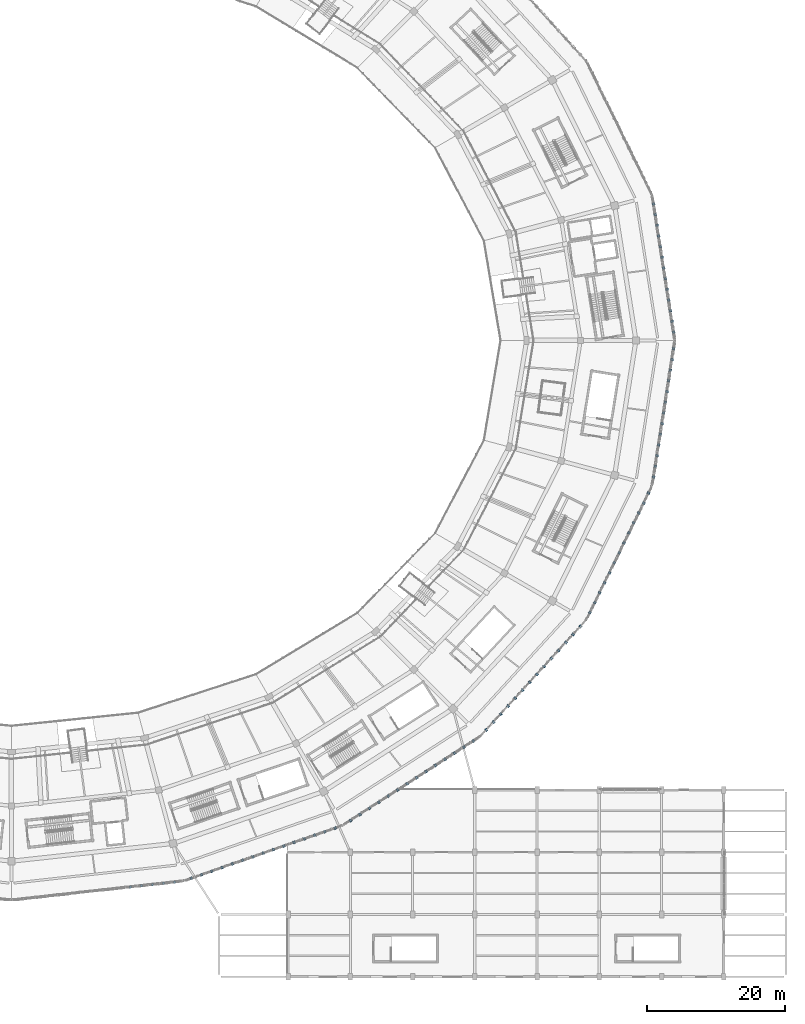
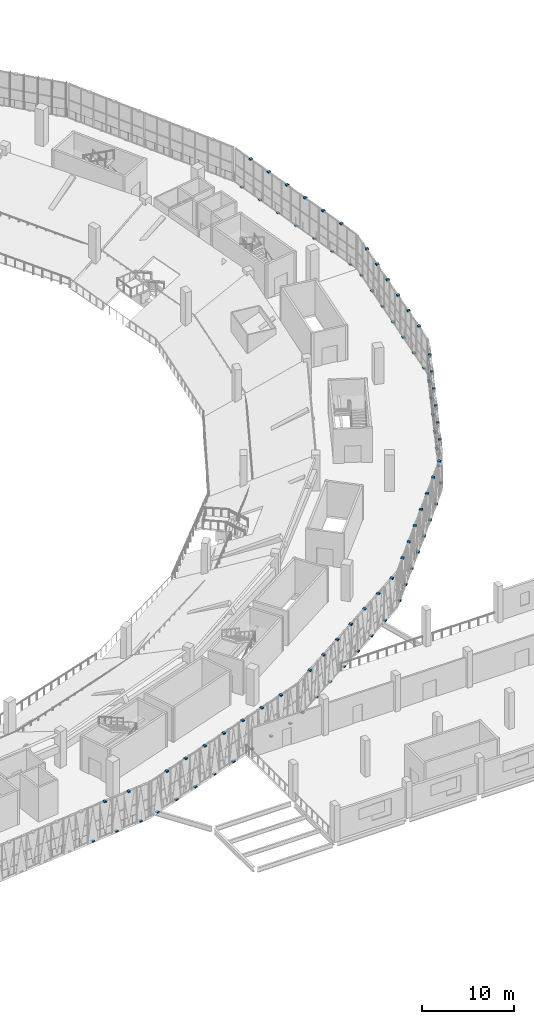
# One storey, part 107 of 152: 87 discrete accessories.
"""IFC4 building model written with IfcOpenShell, lengths in metres."""

from ifc_helpers import new_model, si_unit, direction, frame, origin, origin_2d, place, context, subcontext, project, spatial, rectangle, extrude, material, layer, layer_set, type_object, element, save


model = new_model("IFC4")

# Units and contexts
model_context = context("Model", 3, precision=1e-05, world=origin(), true_north=direction((0.0, 1.0)))
body_context = subcontext(model_context, "Body", "Model", "MODEL_VIEW")
ifc_project = project(units=[si_unit("LENGTHUNIT", "METRE"), si_unit("AREAUNIT", "SQUARE_METRE"), si_unit("VOLUMEUNIT", "CUBIC_METRE"), si_unit("PLANEANGLEUNIT", "RADIAN"), si_unit("MASSUNIT", "GRAM", prefix="KILO")], contexts=[model_context])

# Site, building, storey
site_placement = place(None, origin())
site = spatial("IfcSite", under=ifc_project, at=site_placement, CompositionType="ELEMENT")
building_placement = place(site_placement, origin())
building = spatial("IfcBuilding", under=site, at=building_placement, Name="Zevraka Park Crest Stadium", CompositionType="ELEMENT")
storey_placement = place(building_placement, frame((0.0, 0.0, 15.0)))
storey = spatial("IfcBuildingStorey", under=building, at=storey_placement, Name="L03", CompositionType="ELEMENT", Elevation=15.0)

# Discrete accessories
ifc_material = material(Name="Galvanised steel bracketry", Category="steel")
ifc_layer = layer(ifc_material, 0.1201171875)
ifc_layer_set = layer_set([ifc_layer], Name="Galvanised steel bracketry")
discrete_accessory_type = type_object("IfcDiscreteAccessoryType", Name="BRK01", PredefinedType="BRACKET", material=ifc_layer_set)
for number, where, z_axis, x_axis, name in (
    (1, (207.7509765625, 93.2080078125, -0.16015625), (0.0, 0.0, 1.0), (-0.15419307054, 0.988040736507, 0.0), "Bronze Screen Carrier Bracket BRK01 L03-00-1"),
    (2, (207.510009765625, 94.751953125, 4.39990234375), (0.0, 0.0, 1.0), (-0.15419307054, 0.988040736507, 0.0), "Bronze Screen Carrier Bracket BRK01 L03-00-2"),
    (3, (207.26904296875, 96.2958984375, -0.16015625), (0.0, 0.0, 1.0), (-0.15419307054, 0.988040736507, 0.0), "Bronze Screen Carrier Bracket BRK01 L03-00-3"),
    (4, (207.028076171875, 97.840087890625, 4.39990234375), (0.0, 0.0, 1.0), (-0.15419307054, 0.988040736507, 0.0), "Bronze Screen Carrier Bracket BRK01 L03-00-4"),
    (5, (206.787109375, 99.385009765625, -0.16015625), (0.0, 0.0, 1.0), (-0.15419307054, 0.988040736507, 0.0), "Bronze Screen Carrier Bracket BRK01 L03-00-5"),
    (6, (206.5458984375, 100.928955078125, 4.39990234375), (0.0, 0.0, 1.0), (-0.15419307054, 0.988040736507, 0.0), "Bronze Screen Carrier Bracket BRK01 L03-00-6"),
    (7, (206.304931640625, 102.472900390625, -0.16015625), (0.0, 0.0, 1.0), (-0.15419307054, 0.988040736507, 0.0), "Bronze Screen Carrier Bracket BRK01 L03-00-7"),
    (8, (206.06494140625, 104.01708984375, 4.39990234375), (0.0, 0.0, 1.0), (-0.15419307054, 0.988040736507, 0.0), "Bronze Screen Carrier Bracket BRK01 L03-00-8"),
    (9, (205.823974609375, 105.56103515625, -0.16015625), (0.0, 0.0, 1.0), (-0.15419307054, 0.988040736507, 0.0), "Bronze Screen Carrier Bracket BRK01 L03-00-9"),
    (10, (205.5830078125, 107.10595703125, 4.39990234375), (0.0, 0.0, 1.0), (-0.15419307054, 0.988040736507, 0.0), "Bronze Screen Carrier Bracket BRK01 L03-00-10"),
    (11, (205.342041015625, 108.64990234375, -0.16015625), (0.0, 0.0, 1.0), (-0.15419307054, 0.988040736507, 0.0), "Bronze Screen Carrier Bracket BRK01 L03-00-11"),
    (12, (205.10107421875, 110.194091796875, 4.39990234375), (0.0, 0.0, 1.0), (-0.15419307054, 0.988040736507, 0.0), "Bronze Screen Carrier Bracket BRK01 L03-00-12"),
    (13, (204.860107421875, 111.738037109375, -0.16015625), (0.0, 0.0, 1.0), (-0.15419307054, 0.988040736507, 0.0), "Bronze Screen Carrier Bracket BRK01 L03-00-13"),
    (14, (129.20703125, 12.971923828125, -0.16015625), (0.0, 0.0, 1.0), (0.993884104238, 0.110428199945, 0.0), "Bronze Screen Carrier Bracket BRK01 L03-18-11"),
    (15, (130.803955078125, 13.14990234375, 4.39990234375), (0.0, 0.0, 1.0), (0.993884104238, 0.110428199945, 0.0), "Bronze Screen Carrier Bracket BRK01 L03-18-12"),
    (16, (132.40087890625, 13.326904296875, -0.16015625), (0.0, 0.0, 1.0), (0.993884104238, 0.110428199945, 0.0), "Bronze Screen Carrier Bracket BRK01 L03-18-13"),
    (17, (133.998046875, 13.50390625, 4.39990234375), (0.0, 0.0, 1.0), (0.993884104238, 0.110428199945, 0.0), "Bronze Screen Carrier Bracket BRK01 L03-18-14"),
    (18, (135.593994140625, 13.681884765625, -0.16015625), (0.0, 0.0, 1.0), (0.993884104238, 0.110428199945, 0.0), "Bronze Screen Carrier Bracket BRK01 L03-18-15"),
    (19, (137.9951171875, 14.22509765625, -0.16015625), (0.0, 0.0, 1.0), (0.944031464141, 0.329855414859, 0.0), "Bronze Screen Carrier Bracket BRK01 L03-19-1"),
    (20, (139.48193359375, 14.7451171875, 4.39990234375), (0.0, 0.0, 1.0), (0.944031464141, 0.329855414859, 0.0), "Bronze Screen Carrier Bracket BRK01 L03-19-2"),
    (21, (140.968994140625, 15.264892578125, -0.16015625), (0.0, 0.0, 1.0), (0.944031464141, 0.329855414859, 0.0), "Bronze Screen Carrier Bracket BRK01 L03-19-3"),
    (22, (142.4560546875, 15.783935546875, 4.39990234375), (0.0, 0.0, 1.0), (0.944031464141, 0.329855414859, 0.0), "Bronze Screen Carrier Bracket BRK01 L03-19-4"),
    (23, (143.943115234375, 16.303955078125, -0.16015625), (0.0, 0.0, 1.0), (0.944031464141, 0.329855414859, 0.0), "Bronze Screen Carrier Bracket BRK01 L03-19-5"),
    (24, (145.429931640625, 16.823974609375, 4.39990234375), (0.0, 0.0, 1.0), (0.944031464141, 0.329855414859, 0.0), "Bronze Screen Carrier Bracket BRK01 L03-19-6"),
    (25, (146.9169921875, 17.343017578125, -0.16015625), (0.0, 0.0, 1.0), (0.944031464141, 0.329855414859, 0.0), "Bronze Screen Carrier Bracket BRK01 L03-19-7"),
    (26, (148.404052734375, 17.863037109375, 4.39990234375), (0.0, 0.0, 1.0), (0.944031464141, 0.329855414859, 0.0), "Bronze Screen Carrier Bracket BRK01 L03-19-8"),
    (27, (149.889892578125, 18.383056640625, -0.16015625), (0.0, 0.0, 1.0), (0.944031464141, 0.329855414859, 0.0), "Bronze Screen Carrier Bracket BRK01 L03-19-9"),
    (28, (151.376953125, 18.902099609375, 4.39990234375), (0.0, 0.0, 1.0), (0.944031464141, 0.329855414859, 0.0), "Bronze Screen Carrier Bracket BRK01 L03-19-10"),
    (29, (152.864013671875, 19.422119140625, -0.16015625), (0.0, 0.0, 1.0), (0.944031464141, 0.329855414859, 0.0), "Bronze Screen Carrier Bracket BRK01 L03-19-11"),
    (30, (154.35107421875, 19.94189453125, 4.39990234375), (0.0, 0.0, 1.0), (0.944031464141, 0.329855414859, 0.0), "Bronze Screen Carrier Bracket BRK01 L03-19-12"),
    (31, (155.837890625, 20.4609375, -0.16015625), (0.0, 0.0, 1.0), (0.944031464141, 0.329855414859, 0.0), "Bronze Screen Carrier Bracket BRK01 L03-19-13"),
    (32, (157.324951171875, 20.98095703125, 4.39990234375), (0.0, 0.0, 1.0), (0.944031464141, 0.329855414859, 0.0), "Bronze Screen Carrier Bracket BRK01 L03-19-14"),
    (33, (158.81201171875, 21.5009765625, -0.16015625), (0.0, 0.0, 1.0), (0.944031464141, 0.329855414859, 0.0), "Bronze Screen Carrier Bracket BRK01 L03-19-15"),
    (34, (161.028076171875, 22.589111328125, -0.16015625), (0.0, 0.0, 1.0), (0.839430209734, 0.543467499475, 0.0), "Bronze Screen Carrier Bracket BRK01 L03-20-1"),
    (35, (162.39404296875, 23.472900390625, 4.39990234375), (0.0, 0.0, 1.0), (0.839430209734, 0.543467499475, 0.0), "Bronze Screen Carrier Bracket BRK01 L03-20-2"),
    (36, (163.760009765625, 24.35791015625, -0.16015625), (0.0, 0.0, 1.0), (0.839430209734, 0.543467499475, 0.0), "Bronze Screen Carrier Bracket BRK01 L03-20-3"),
    (37, (165.1259765625, 25.241943359375, 4.39990234375), (0.0, 0.0, 1.0), (0.839430209734, 0.543467499475, 0.0), "Bronze Screen Carrier Bracket BRK01 L03-20-4"),
    (38, (166.492919921875, 26.126953125, -0.16015625), (0.0, 0.0, 1.0), (0.839430209734, 0.543467499475, 0.0), "Bronze Screen Carrier Bracket BRK01 L03-20-5"),
    (39, (167.85888671875, 27.010986328125, 4.39990234375), (0.0, 0.0, 1.0), (0.839430209734, 0.543467499475, 0.0), "Bronze Screen Carrier Bracket BRK01 L03-20-6"),
    (40, (169.22509765625, 27.89599609375, -0.16015625), (0.0, 0.0, 1.0), (0.839430209734, 0.543467499475, 0.0), "Bronze Screen Carrier Bracket BRK01 L03-20-7"),
    (41, (170.591064453125, 28.780029296875, 4.39990234375), (0.0, 0.0, 1.0), (0.839430209734, 0.543467499475, 0.0), "Bronze Screen Carrier Bracket BRK01 L03-20-8"),
    (42, (171.95703125, 29.6650390625, -0.16015625), (0.0, 0.0, 1.0), (0.839430209734, 0.543467499475, 0.0), "Bronze Screen Carrier Bracket BRK01 L03-20-9"),
    (43, (173.322998046875, 30.549072265625, 4.39990234375), (0.0, 0.0, 1.0), (0.839430209734, 0.543467499475, 0.0), "Bronze Screen Carrier Bracket BRK01 L03-20-10"),
    (44, (174.68994140625, 31.43408203125, -0.16015625), (0.0, 0.0, 1.0), (0.839430209734, 0.543467499475, 0.0), "Bronze Screen Carrier Bracket BRK01 L03-20-11"),
    (45, (176.055908203125, 32.318115234375, 4.39990234375), (0.0, 0.0, 1.0), (0.839430209734, 0.543467499475, 0.0), "Bronze Screen Carrier Bracket BRK01 L03-20-12"),
    (46, (177.422119140625, 33.202880859375, -0.16015625), (0.0, 0.0, 1.0), (0.839430209734, 0.543467499475, 0.0), "Bronze Screen Carrier Bracket BRK01 L03-20-13"),
    (47, (178.7880859375, 34.0869140625, 4.39990234375), (0.0, 0.0, 1.0), (0.839430209734, 0.543467499475, 0.0), "Bronze Screen Carrier Bracket BRK01 L03-20-14"),
    (48, (180.6640625, 35.672119140625, -0.16015625), (0.0, 0.0, 1.0), (0.672754292556, 0.739865975598, 0.0), "Bronze Screen Carrier Bracket BRK01 L03-21-1"),
    (49, (181.7099609375, 36.822998046875, 4.39990234375), (0.0, 0.0, 1.0), (0.672754292556, 0.739865975598, 0.0), "Bronze Screen Carrier Bracket BRK01 L03-21-2"),
    (50, (182.757080078125, 37.97412109375, -0.16015625), (0.0, 0.0, 1.0), (0.672754292556, 0.739865975598, 0.0), "Bronze Screen Carrier Bracket BRK01 L03-21-3"),
    (51, (183.802978515625, 39.1240234375, 4.39990234375), (0.0, 0.0, 1.0), (0.672754292556, 0.739865975598, 0.0), "Bronze Screen Carrier Bracket BRK01 L03-21-4"),
    (52, (184.85009765625, 40.27490234375, -0.16015625), (0.0, 0.0, 1.0), (0.672754292556, 0.739865975598, 0.0), "Bronze Screen Carrier Bracket BRK01 L03-21-5"),
    (53, (185.89599609375, 41.426025390625, 4.39990234375), (0.0, 0.0, 1.0), (0.672754292556, 0.739865975598, 0.0), "Bronze Screen Carrier Bracket BRK01 L03-21-6"),
    (54, (186.943115234375, 42.576904296875, -0.16015625), (0.0, 0.0, 1.0), (0.672754292556, 0.739865975598, 0.0), "Bronze Screen Carrier Bracket BRK01 L03-21-7"),
    (55, (187.989013671875, 43.72705078125, 4.39990234375), (0.0, 0.0, 1.0), (0.672754292556, 0.739865975598, 0.0), "Bronze Screen Carrier Bracket BRK01 L03-21-8"),
    (56, (189.035888671875, 44.8779296875, -0.16015625), (0.0, 0.0, 1.0), (0.672754292556, 0.739865975598, 0.0), "Bronze Screen Carrier Bracket BRK01 L03-21-9"),
    (57, (190.08203125, 46.029052734375, 4.39990234375), (0.0, 0.0, 1.0), (0.672754292556, 0.739865975598, 0.0), "Bronze Screen Carrier Bracket BRK01 L03-21-10"),
    (58, (191.12890625, 47.179931640625, -0.16015625), (0.0, 0.0, 1.0), (0.672754292556, 0.739865975598, 0.0), "Bronze Screen Carrier Bracket BRK01 L03-21-11"),
    (59, (192.175048828125, 48.330078125, 4.39990234375), (0.0, 0.0, 1.0), (0.672754292556, 0.739865975598, 0.0), "Bronze Screen Carrier Bracket BRK01 L03-21-12"),
    (60, (193.221923828125, 49.48095703125, -0.16015625), (0.0, 0.0, 1.0), (0.672754292556, 0.739865975598, 0.0), "Bronze Screen Carrier Bracket BRK01 L03-21-13"),
    (61, (194.26806640625, 50.632080078125, 4.39990234375), (0.0, 0.0, 1.0), (0.672754292556, 0.739865975598, 0.0), "Bronze Screen Carrier Bracket BRK01 L03-21-14"),
    (62, (195.635986328125, 52.64990234375, -0.16015625), (0.0, 0.0, 1.0), (0.440722679139, 0.897643314515, 0.0), "Bronze Screen Carrier Bracket BRK01 L03-22-1"),
    (63, (196.343017578125, 54.091064453125, 4.39990234375), (0.0, 0.0, 1.0), (0.440722679139, 0.897643314515, 0.0), "Bronze Screen Carrier Bracket BRK01 L03-22-2"),
    (64, (197.050048828125, 55.531982421875, -0.16015625), (0.0, 0.0, 1.0), (0.440722679139, 0.897643314515, 0.0), "Bronze Screen Carrier Bracket BRK01 L03-22-3"),
    (65, (197.758056640625, 56.971923828125, 4.39990234375), (0.0, 0.0, 1.0), (0.440722679139, 0.897643314515, 0.0), "Bronze Screen Carrier Bracket BRK01 L03-22-4"),
    (66, (198.465087890625, 58.4130859375, -0.16015625), (0.0, 0.0, 1.0), (0.440722679139, 0.897643314515, 0.0), "Bronze Screen Carrier Bracket BRK01 L03-22-5"),
    (67, (199.172119140625, 59.85302734375, 4.39990234375), (0.0, 0.0, 1.0), (0.440722679139, 0.897643314515, 0.0), "Bronze Screen Carrier Bracket BRK01 L03-22-6"),
    (68, (199.8798828125, 61.2939453125, -0.16015625), (0.0, 0.0, 1.0), (0.440722679139, 0.897643314515, 0.0), "Bronze Screen Carrier Bracket BRK01 L03-22-7"),
    (69, (200.5869140625, 62.735107421875, 4.39990234375), (0.0, 0.0, 1.0), (0.440722679139, 0.897643314515, 0.0), "Bronze Screen Carrier Bracket BRK01 L03-22-8"),
    (70, (201.2939453125, 64.175048828125, -0.16015625), (0.0, 0.0, 1.0), (0.440722679139, 0.897643314515, 0.0), "Bronze Screen Carrier Bracket BRK01 L03-22-9"),
    (71, (202.0009765625, 65.615966796875, 4.39990234375), (0.0, 0.0, 1.0), (0.440722679139, 0.897643314515, 0.0), "Bronze Screen Carrier Bracket BRK01 L03-22-10"),
    (72, (202.708984375, 67.055908203125, -0.16015625), (0.0, 0.0, 1.0), (0.440722679139, 0.897643314515, 0.0), "Bronze Screen Carrier Bracket BRK01 L03-22-11"),
    (73, (203.416015625, 68.4970703125, 4.39990234375), (0.0, 0.0, 1.0), (0.440722679139, 0.897643314515, 0.0), "Bronze Screen Carrier Bracket BRK01 L03-22-12"),
    (74, (204.123046875, 69.93798828125, -0.16015625), (0.0, 0.0, 1.0), (0.440722679139, 0.897643314515, 0.0), "Bronze Screen Carrier Bracket BRK01 L03-22-13"),
    (75, (204.860107421875, 72.261962890625, -0.16015625), (0.0, 0.0, 1.0), (0.15419307054, 0.988040736507, 0.0), "Bronze Screen Carrier Bracket BRK01 L03-23-1"),
    (76, (205.10107421875, 73.805908203125, 4.39990234375), (0.0, 0.0, 1.0), (0.15419307054, 0.988040736507, 0.0), "Bronze Screen Carrier Bracket BRK01 L03-23-2"),
    (77, (205.342041015625, 75.35009765625, -0.16015625), (0.0, 0.0, 1.0), (0.15419307054, 0.988040736507, 0.0), "Bronze Screen Carrier Bracket BRK01 L03-23-3"),
    (78, (205.5830078125, 76.89404296875, 4.39990234375), (0.0, 0.0, 1.0), (0.15419307054, 0.988040736507, 0.0), "Bronze Screen Carrier Bracket BRK01 L03-23-4"),
    (79, (205.823974609375, 78.43896484375, -0.16015625), (0.0, 0.0, 1.0), (0.15419307054, 0.988040736507, 0.0), "Bronze Screen Carrier Bracket BRK01 L03-23-5"),
    (80, (206.06494140625, 79.98291015625, 4.39990234375), (0.0, 0.0, 1.0), (0.15419307054, 0.988040736507, 0.0), "Bronze Screen Carrier Bracket BRK01 L03-23-6"),
    (81, (206.305908203125, 81.527099609375, -0.16015625), (0.0, 0.0, 1.0), (0.15419307054, 0.988040736507, 0.0), "Bronze Screen Carrier Bracket BRK01 L03-23-7"),
    (82, (206.5458984375, 83.071044921875, 4.39990234375), (0.0, 0.0, 1.0), (0.15419307054, 0.988040736507, 0.0), "Bronze Screen Carrier Bracket BRK01 L03-23-8"),
    (83, (206.787109375, 84.614990234375, -0.16015625), (0.0, 0.0, 1.0), (0.15419307054, 0.988040736507, 0.0), "Bronze Screen Carrier Bracket BRK01 L03-23-9"),
    (84, (207.028076171875, 86.159912109375, 4.39990234375), (0.0, 0.0, 1.0), (0.15419307054, 0.988040736507, 0.0), "Bronze Screen Carrier Bracket BRK01 L03-23-10"),
    (85, (207.26904296875, 87.7041015625, -0.16015625), (0.0, 0.0, 1.0), (0.15419307054, 0.988040736507, 0.0), "Bronze Screen Carrier Bracket BRK01 L03-23-11"),
    (86, (207.510009765625, 89.248046875, 4.39990234375), (0.0, 0.0, 1.0), (0.15419307054, 0.988040736507, 0.0), "Bronze Screen Carrier Bracket BRK01 L03-23-12"),
    (87, (207.7509765625, 90.7919921875, -0.16015625), (0.0, 0.0, 1.0), (0.15419307054, 0.988040736507, 0.0), "Bronze Screen Carrier Bracket BRK01 L03-23-13"),
):
    element("IfcDiscreteAccessory", number, at=place(storey_placement, frame(where, z_axis=z_axis, x_axis=x_axis)), inside=storey, type_object=discrete_accessory_type, Name=name, PredefinedType="BRACKET", context=body_context, shape_type="SweptSolid", body=[
        extrude(rectangle(XDim=0.320068359375, YDim=0.360107421875, at=origin_2d()), origin(), (0.0, 0.0, 1.0), 0.159912109375),
    ])

save(model, "model.ifc")
